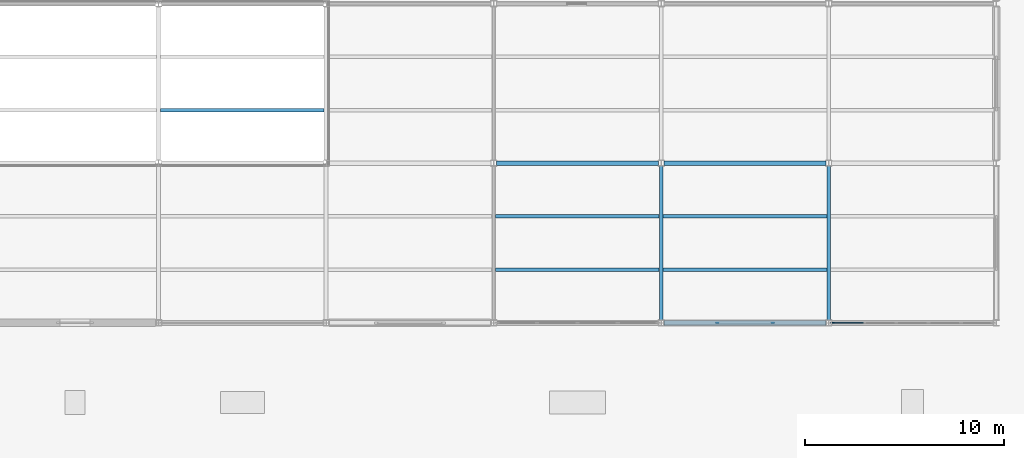
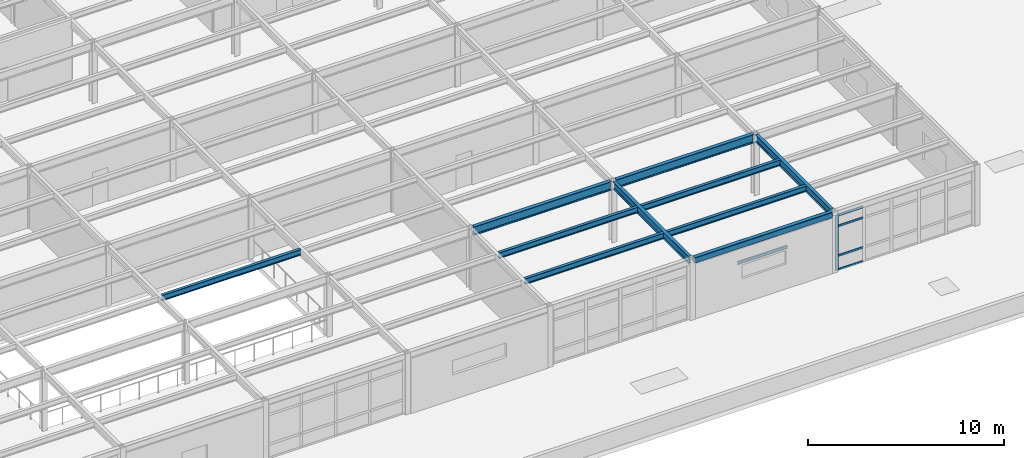
# One storey, part 33 of 138: 11 beams, 5 members, 1 element without a shape of its own.
"""IFC4 building model written with IfcOpenShell, lengths in metres."""

from ifc_helpers import new_model, si_unit, direction, frame, origin, origin_2d, place, context, subcontext, project, spatial, rectangle, hollow_rectangle, i_section, extrude, material, layer, layer_set, material_profile, profile_set, type_object, element, aggregate, save


model = new_model("IFC4")

# Units and contexts
model_context = context("Model", 3, precision=1e-05, world=origin(), true_north=direction((0.0, 1.0)))
body_context = subcontext(model_context, "Body", "Model", "MODEL_VIEW")
ifc_project = project(units=[si_unit("LENGTHUNIT", "METRE"), si_unit("AREAUNIT", "SQUARE_METRE"), si_unit("VOLUMEUNIT", "CUBIC_METRE"), si_unit("PLANEANGLEUNIT", "RADIAN"), si_unit("MASSUNIT", "GRAM", prefix="KILO")], contexts=[model_context])

# Site, building, storey
site_placement = place(None, origin())
site = spatial("IfcSite", under=ifc_project, at=site_placement, CompositionType="ELEMENT")
building_placement = place(site_placement, origin())
building = spatial("IfcBuilding", under=site, at=building_placement, Name="Kranzveld Transit Interchange", CompositionType="ELEMENT")
storey_placement = place(building_placement, frame((0.0, 0.0, 5.43994140625)))
storey = spatial("IfcBuildingStorey", under=building, at=storey_placement, Name="L01", CompositionType="ELEMENT", Elevation=5.43994140625)

# Beams
ifc_material_1 = material(Name="Steel S355JR", Category="steel")
ifc_material_profile_1 = material_profile(ifc_material_1, i_section(OverallWidth=0.19189453125, OverallDepth=0.46337890625, WebThickness=0.010498046875, FlangeThickness=0.017578125, FilletRadius=0.01025390625, at=origin_2d()), Name="UB 457x191x89")
ifc_profile_set_1 = profile_set([ifc_material_profile_1], Name="Steel S355JR")
beam_type_1 = type_object("IfcBeamType", Name="Beam Steel UB 457x191x89 S355JR", PredefinedType="BEAM", material=ifc_profile_set_1)
for number, where, z_axis, x_axis, name in (
    (1, (117.60009765625, 8.150146484375, 3.568359375), (0.0, 1.0, 0.0), (-1.0, 0.0, 0.0), "L01 Girder 15/B-C"),
    (2, (126.0, 8.150146484375, 3.568359375), (0.0, 1.0, 0.0), (-1.0, 0.0, 0.0), "L01 Girder 16/B-C"),
):
    element("IfcBeam", number, at=place(storey_placement, frame(where, z_axis=z_axis, x_axis=x_axis)), inside=storey, type_object=beam_type_1, Name=name, PredefinedType="BEAM", context=body_context, shape_type="SweptSolid", body=[
        extrude(i_section(OverallWidth=0.19189453125, OverallDepth=0.46337890625, WebThickness=0.010498046875, FlangeThickness=0.017578125, FilletRadius=0.01025390625, at=origin_2d()), origin(), (0.0, 0.0, 1.0), 7.69970703125),
    ])

# Curtain wall, members
ifc_material_2 = material(Name="Bronze-anodised thermally broken aluminium", Category="aluminium")
ifc_layer = layer(ifc_material_2, 0.1650390625)
ifc_layer_set = layer_set([ifc_layer], Name="Bronze-anodised thermally broken aluminium")
curtain_wall_type = type_object("IfcCurtainWallType", Name="Sunny Court Arcade Curtain Wall CW-2", PredefinedType="USERDEFINED", material=ifc_layer_set)
curtain_wall_placement = place(storey_placement, origin())
curtain_wall = element("IfcCurtainWall", 3, at=curtain_wall_placement, inside=storey, type_object=curtain_wall_type, Name="L01 Curtain Wall 16/B-17/B", ObjectType="CURTAIN WALL", PredefinedType="USERDEFINED")
ifc_material_3 = material(Name="Bronze-anodised thermally broken aluminium", Category="aluminium")
ifc_material_profile_2 = material_profile(ifc_material_3, rectangle(XDim=0.06494140625, YDim=0.1650390625, at=origin_2d()), Name="ALU MULLION 65x165")
ifc_profile_set_2 = profile_set([ifc_material_profile_2], Name="Bronze-anodised thermally broken aluminium")
member_type_1 = type_object("IfcMemberType", Name="Curtain Wall Mullion 65x165 Alu", PredefinedType="MULLION", material=ifc_profile_set_2)
member_1_placement = place(storey_placement, frame((126.18701171875, 8.0, 0.0), z_axis=(0.0, 0.0, 1.0), x_axis=(0.0, 1.0, 0.0)))
member_1 = element("IfcMember", 4, at=member_1_placement, type_object=member_type_1, Name="CW-2 mullion 1", PredefinedType="MULLION", context=body_context, shape_type="SweptSolid", body=[
    extrude(rectangle(XDim=0.06494140625, YDim=0.1650390625, at=origin_2d()), origin(), (0.0, 0.0, 1.0), 3.449951171875),
])
ifc_material_4 = material(Name="Bronze-anodised thermally broken aluminium", Category="aluminium")
ifc_material_profile_3 = material_profile(ifc_material_4, rectangle(XDim=0.06005859375, YDim=0.125, at=origin_2d()), Name="ALU TRANSOM 60x125")
ifc_profile_set_3 = profile_set([ifc_material_profile_3], Name="Bronze-anodised thermally broken aluminium")
member_type_2 = type_object("IfcMemberType", Name="Curtain Wall Transom 60x125 Alu", PredefinedType="USERDEFINED", material=ifc_profile_set_3)
member_2_placement = place(storey_placement, frame((126.219482421875, 8.0, 0.030029296875), z_axis=(1.0, 0.0, 0.0), x_axis=(0.0, 1.0, 0.0)))
member_2 = element("IfcMember", 5, at=member_2_placement, type_object=member_type_2, Name="CW-2 transom 1.1", ObjectType="TRANSOM", PredefinedType="USERDEFINED", context=body_context, shape_type="SweptSolid", body=[
    extrude(rectangle(XDim=0.06005859375, YDim=0.125, at=origin_2d()), origin(), (0.0, 0.0, 1.0), 1.520751953125),
])
member_3_placement = place(storey_placement, frame((126.219482421875, 8.0, 0.900146484375), z_axis=(1.0, 0.0, 0.0), x_axis=(0.0, 1.0, 0.0)))
member_3 = element("IfcMember", 6, at=member_3_placement, type_object=member_type_2, Name="CW-2 transom 1.2", ObjectType="TRANSOM", PredefinedType="USERDEFINED", context=body_context, shape_type="SweptSolid", body=[
    extrude(rectangle(XDim=0.06005859375, YDim=0.125, at=origin_2d()), origin(), (0.0, 0.0, 1.0), 1.520751953125),
])
member_4_placement = place(storey_placement, frame((126.219482421875, 8.0, 2.75), z_axis=(1.0, 0.0, 0.0), x_axis=(0.0, 1.0, 0.0)))
member_4 = element("IfcMember", 7, at=member_4_placement, type_object=member_type_2, Name="CW-2 transom 1.3", ObjectType="TRANSOM", PredefinedType="USERDEFINED", context=body_context, shape_type="SweptSolid", body=[
    extrude(rectangle(XDim=0.06005859375, YDim=0.125, at=origin_2d()), origin(), (0.0, 0.0, 1.0), 1.520751953125),
])
member_5_placement = place(storey_placement, frame((126.219482421875, 8.0, 3.420166015625), z_axis=(1.0, 0.0, 0.0), x_axis=(0.0, 1.0, 0.0)))
member_5 = element("IfcMember", 8, at=member_5_placement, type_object=member_type_2, Name="CW-2 transom 1.4", ObjectType="TRANSOM", PredefinedType="USERDEFINED", context=body_context, shape_type="SweptSolid", body=[
    extrude(rectangle(XDim=0.06005859375, YDim=0.125, at=origin_2d()), origin(), (0.0, 0.0, 1.0), 1.520751953125),
])
aggregate(curtain_wall, [member_1, member_2, member_3, member_4, member_5])

# Beams
ifc_material_5 = material(Name="Steel S355JR", Category="steel")
ifc_material_profile_4 = material_profile(ifc_material_5, hollow_rectangle(XDim=0.25, YDim=0.35009765625, WallThickness=0.012451171875, InnerFilletRadius=0.018798828125, OuterFilletRadius=0.03125, at=origin_2d()), Name="RHS 350x250x12.5")
ifc_profile_set_4 = profile_set([ifc_material_profile_4], Name="Steel S355JR")
beam_type_2 = type_object("IfcBeamType", Name="Edge Spandrel RHS 350x250x12.5 S355JR", PredefinedType="SPANDREL", material=ifc_profile_set_4)
beam_1_placement = place(storey_placement, frame((117.74462890625, 8.0, 3.625), z_axis=(1.0, 0.0, 0.0), x_axis=(0.0, 1.0, 0.0)))
element("IfcBeam", 9, at=beam_1_placement, inside=storey, type_object=beam_type_2, Name="L01 Girder 15-16/B", PredefinedType="SPANDREL", context=body_context, shape_type="SweptSolid", body=[
    extrude(hollow_rectangle(XDim=0.25, YDim=0.35009765625, WallThickness=0.012451171875, InnerFilletRadius=0.018798828125, OuterFilletRadius=0.03125, at=origin_2d()), origin(), (0.0, 0.0, 1.0), 8.11083984375),
])
ifc_material_6 = material(Name="Steel S355JR", Category="steel")
ifc_material_profile_5 = material_profile(ifc_material_6, i_section(OverallWidth=0.172119140625, OverallDepth=0.35791015625, WebThickness=0.008056640625, FlangeThickness=0.012939453125, FilletRadius=0.01025390625, at=origin_2d()), Name="UB 356x171x57")
ifc_profile_set_5 = profile_set([ifc_material_profile_5], Name="Steel S355JR")
beam_type_3 = type_object("IfcBeamType", Name="Floor Joist UB 356x171x57 S355JR", PredefinedType="JOIST", material=ifc_profile_set_5)
for number, where, z_axis, x_axis, name in (
    (10, (92.498046875, 18.666748046875, 3.62109375), (1.0, 0.0, 0.0), (0.0, 1.0, 0.0), "L01 Secondary Joist 12-13/C.1"),
    (11, (109.2978515625, 10.666748046875, 3.62109375), (1.0, 0.0, 0.0), (0.0, 1.0, 0.0), "L01 Secondary Joist 14-15/B.1"),
    (12, (109.2978515625, 13.333251953125, 3.62109375), (1.0, 0.0, 0.0), (0.0, 1.0, 0.0), "L01 Secondary Joist 14-15/B.2"),
    (13, (117.697998046875, 10.666748046875, 3.62109375), (1.0, 0.0, 0.0), (0.0, 1.0, 0.0), "L01 Secondary Joist 15-16/B.1"),
    (14, (117.697998046875, 13.333251953125, 3.62109375), (1.0, 0.0, 0.0), (0.0, 1.0, 0.0), "L01 Secondary Joist 15-16/B.2"),
):
    element("IfcBeam", number, at=place(storey_placement, frame(where, z_axis=z_axis, x_axis=x_axis)), inside=storey, type_object=beam_type_3, Name=name, PredefinedType="JOIST", context=body_context, shape_type="SweptSolid", body=[
        extrude(i_section(OverallWidth=0.172119140625, OverallDepth=0.35791015625, WebThickness=0.008056640625, FlangeThickness=0.012939453125, FilletRadius=0.01025390625, at=origin_2d()), origin(), (0.0, 0.0, 1.0), 8.2041015625),
    ])
ifc_material_7 = material(Name="Steel S355JR", Category="steel")
ifc_material_profile_6 = material_profile(ifc_material_7, i_section(OverallWidth=0.210693359375, OverallDepth=0.53955078125, WebThickness=0.01171875, FlangeThickness=0.018798828125, FilletRadius=0.0126953125, at=origin_2d()), Name="UB 533x210x109")
ifc_profile_set_6 = profile_set([ifc_material_profile_6], Name="Steel S355JR")
beam_type_4 = type_object("IfcBeamType", Name="Girder Steel UB 533x210x109 S355JR", PredefinedType="BEAM", material=ifc_profile_set_6)
for number, where, z_axis, x_axis, name in (
    (15, (109.344482421875, 16.0, 3.5302734375), (1.0, 0.0, 0.0), (0.0, 1.0, 0.0), "L01 Girder 14-15/C"),
    (16, (117.74462890625, 16.0, 3.5302734375), (1.0, 0.0, 0.0), (0.0, 1.0, 0.0), "L01 Girder 15-16/C"),
):
    element("IfcBeam", number, at=place(storey_placement, frame(where, z_axis=z_axis, x_axis=x_axis)), inside=storey, type_object=beam_type_4, Name=name, PredefinedType="BEAM", context=body_context, shape_type="SweptSolid", body=[
        extrude(i_section(OverallWidth=0.210693359375, OverallDepth=0.53955078125, WebThickness=0.01171875, FlangeThickness=0.018798828125, FilletRadius=0.0126953125, at=origin_2d()), origin(), (0.0, 0.0, 1.0), 8.11083984375),
    ])
ifc_material_8 = material(Name="Steel S355JR", Category="steel")
ifc_material_profile_7 = material_profile(ifc_material_8, i_section(OverallWidth=0.091064453125, OverallDepth=0.179931640625, WebThickness=0.00537109375, FlangeThickness=0.008056640625, FilletRadius=0.009033203125, at=origin_2d()), Name="IPE 180")
ifc_profile_set_7 = profile_set([ifc_material_profile_7], Name="Steel S355JR")
beam_type_5 = type_object("IfcBeamType", Name="Opening Lintel IPE 180 S355JR", PredefinedType="LINTEL", material=ifc_profile_set_7)
beam_2_placement = place(storey_placement, frame((120.320068359375, 8.0, 2.4951171875), z_axis=(1.0, 0.0, 0.0), x_axis=(0.0, 1.0, 0.0)))
element("IfcBeam", 17, at=beam_2_placement, inside=storey, type_object=beam_type_5, Name="L01 Window Lintel 115", PredefinedType="LINTEL", context=body_context, shape_type="SweptSolid", body=[
    extrude(i_section(OverallWidth=0.091064453125, OverallDepth=0.179931640625, WebThickness=0.00537109375, FlangeThickness=0.008056640625, FilletRadius=0.009033203125, at=origin_2d()), origin(), (0.0, 0.0, 1.0), 2.9599609375),
])

save(model, "model.ifc")
